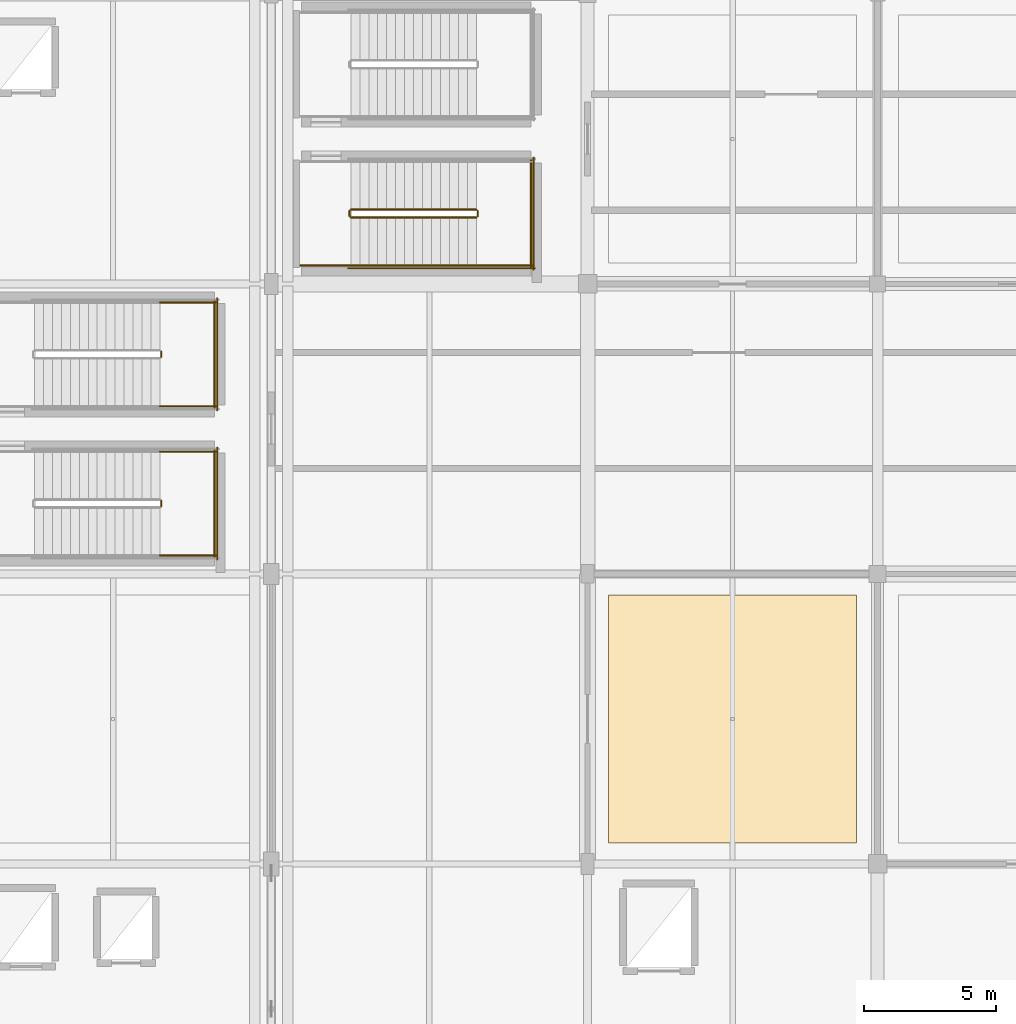
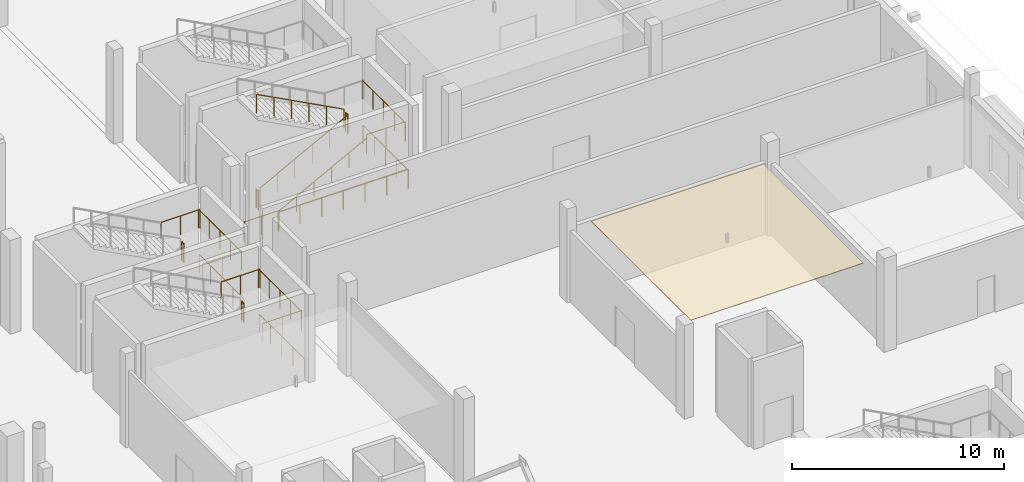
# One storey, part 114 of 120: 20 railings, 1 covering.
"""IFC4 building model written with IfcOpenShell, lengths in metres."""

from ifc_helpers import new_model, si_unit, direction, frame, origin, origin_2d, place, context, subcontext, project, spatial, polyline, circle, outline, extrude, material, layer, layer_set, type_object, element, save


model = new_model("IFC4")

# Units and contexts
model_context = context("Model", 3, precision=1e-05, world=origin(), true_north=direction((0.0, 1.0)))
body_context = subcontext(model_context, "Body", "Model", "MODEL_VIEW")
ifc_project = project(units=[si_unit("LENGTHUNIT", "METRE"), si_unit("AREAUNIT", "SQUARE_METRE"), si_unit("VOLUMEUNIT", "CUBIC_METRE"), si_unit("PLANEANGLEUNIT", "RADIAN"), si_unit("MASSUNIT", "GRAM", prefix="KILO")], contexts=[model_context])

# Site, building, storey
site_placement = place(None, origin())
site = spatial("IfcSite", under=ifc_project, at=site_placement, CompositionType="ELEMENT")
building_placement = place(site_placement, origin())
building = spatial("IfcBuilding", under=site, at=building_placement, Name="Luwafu Chhajja Arena", CompositionType="ELEMENT")
storey_placement = place(building_placement, origin())
storey = spatial("IfcBuildingStorey", under=building, at=storey_placement, Name="L00", CompositionType="ELEMENT", Elevation=0.0)

# Covering
ifc_material_1 = material(Name="Acoustic gypsum ceiling board")
ifc_layer = layer(ifc_material_1, 0.0400390625, Name="Acoustic gypsum ceiling board")
ifc_layer_set = layer_set([ifc_layer], Name="Acoustic gypsum ceiling board")
covering_type = type_object("IfcCoveringType", Name="Perforated Acoustic Baffle Ceiling", PredefinedType="CEILING", material=ifc_layer_set)
covering_placement = place(storey_placement, frame((0.0, 0.0, 4.581298828125)))
element("IfcCovering", 1, at=covering_placement, inside=storey, type_object=covering_type, Name="L00 Acoustic Baffle Ceiling 018", PredefinedType="CEILING", context=body_context, shape_type="SweptSolid", body=[
    extrude(outline(polyline([(176.800048828125, 33.800048828125), (186.199951171875, 33.800048828125), (186.199951171875, 43.199951171875), (176.800048828125, 43.199951171875), (176.800048828125, 33.800048828125)])), origin(), (0.0, 0.0, 1.0), 0.0400390625),
])

# Railings
ifc_material_2 = material(Name="Stainless steel handrail", Category="steel")
railing_type_1 = type_object("IfcRailingType", Name="Stair Pitch Wall Handrail 920", PredefinedType="HANDRAIL", material=ifc_material_2)
railing_1_placement = place(storey_placement, frame((167.02001953125, 55.699951171875, 0.179931640625)))
element("IfcRailing", 2, at=railing_1_placement, inside=storey, type_object=railing_type_1, Name="L00 ST-19 stair handrail 1", PredefinedType="HANDRAIL", context=body_context, shape_type="SweptSolid", body=[
    extrude(circle(Radius=0.02392578125, at=origin_2d()), frame((0.0, 0.0, 0.8759765625), z_axis=(0.883786813738, 0.0, 0.467889803119), x_axis=(0.0, 1.0, 0.0)), (0.0, 0.0, 1.0), 5.385986328125),
    extrude(circle(Radius=0.02099609375, at=origin_2d()), origin(), (0.0, 0.0, 1.0), 0.851806640625),
    extrude(circle(Radius=0.02099609375, at=origin_2d()), frame((0.951904296875, 0.0, 0.50390625)), (0.0, 0.0, 1.0), 0.851806640625),
    extrude(circle(Radius=0.02099609375, at=origin_2d()), frame((1.904052734375, 0.0, 1.008056640625)), (0.0, 0.0, 1.0), 0.851806640625),
    extrude(circle(Radius=0.02099609375, at=origin_2d()), frame((2.85595703125, 0.0, 1.511962890625)), (0.0, 0.0, 1.0), 0.851806640625),
    extrude(circle(Radius=0.02099609375, at=origin_2d()), frame((3.80810546875, 0.0, 2.01611328125)), (0.0, 0.0, 1.0), 0.851806640625),
    extrude(circle(Radius=0.02099609375, at=origin_2d()), frame((4.760009765625, 0.0, 2.52001953125)), (0.0, 0.0, 1.0), 0.851806640625),
])
ifc_material_3 = material(Name="Stainless steel balustrade", Category="steel")
railing_type_2 = type_object("IfcRailingType", Name="Stair and Terrace Guard Balustrade 1100", PredefinedType="BALUSTRADE", material=ifc_material_3)
railing_2_placement = place(storey_placement, frame((159.830078125, 46.570068359375, 2.699951171875)))
element("IfcRailing", 3, at=railing_2_placement, inside=storey, type_object=railing_type_2, Name="L00 ST-11 stair guard 2", PredefinedType="BALUSTRADE", context=body_context, shape_type="SweptSolid", body=[
    extrude(circle(Radius=0.02392578125, at=origin_2d()), frame((0.0, 0.0, 1.076171875), z_axis=(0.0, 1.0, 0.0), x_axis=(-1.0, 0.0, 0.0)), (0.0, 0.0, 1.0), 0.199951171875),
    extrude(circle(Radius=0.02099609375, at=origin_2d()), origin(), (0.0, 0.0, 1.0), 1.052001953125),
    extrude(circle(Radius=0.02099609375, at=origin_2d()), frame((0.0, 0.199951171875, 0.0)), (0.0, 0.0, 1.0), 1.052001953125),
])
for number, where, name in (
    (4, (159.780029296875, 44.699951171875, 2.699951171875), "L00 ST-11 stair guard 3"),
    (5, (159.780029296875, 48.639892578125, 2.699951171875), "L00 ST-11 stair guard 4"),
):
    element("IfcRailing", number, at=place(storey_placement, frame(where)), inside=storey, type_object=railing_type_2, Name=name, PredefinedType="BALUSTRADE", context=body_context, shape_type="SweptSolid", body=[
        extrude(circle(Radius=0.02392578125, at=origin_2d()), frame((0.0, 0.0, 1.076171875), z_axis=(1.0, 0.0, 0.0), x_axis=(0.0, 1.0, 0.0)), (0.0, 0.0, 1.0), 2.119873046875),
        extrude(circle(Radius=0.02099609375, at=origin_2d()), origin(), (0.0, 0.0, 1.0), 1.052001953125),
        extrude(circle(Radius=0.02099609375, at=origin_2d()), frame((1.06005859375, 0.0, 0.0)), (0.0, 0.0, 1.0), 1.052001953125),
        extrude(circle(Radius=0.02099609375, at=origin_2d()), frame((2.119873046875, 0.0, 0.0)), (0.0, 0.0, 1.0), 1.052001953125),
    ])
railing_3_placement = place(storey_placement, frame((161.85009765625, 44.64990234375, 2.699951171875)))
element("IfcRailing", 6, at=railing_3_placement, inside=storey, type_object=railing_type_2, Name="L00 ST-11 stair guard 5", PredefinedType="BALUSTRADE", context=body_context, shape_type="SweptSolid", body=[
    extrude(circle(Radius=0.02392578125, at=origin_2d()), frame((0.0, 0.0, 1.076171875), z_axis=(0.0, 1.0, 0.0), x_axis=(-1.0, 0.0, 0.0)), (0.0, 0.0, 1.0), 4.0400390625),
    extrude(circle(Radius=0.02099609375, at=origin_2d()), origin(), (0.0, 0.0, 1.0), 1.052001953125),
    extrude(circle(Radius=0.02099609375, at=origin_2d()), frame((0.0, 1.010009765625, 0.0)), (0.0, 0.0, 1.0), 1.052001953125),
    extrude(circle(Radius=0.02099609375, at=origin_2d()), frame((0.0, 2.02001953125, 0.0)), (0.0, 0.0, 1.0), 1.052001953125),
    extrude(circle(Radius=0.02099609375, at=origin_2d()), frame((0.0, 3.030029296875, 0.0)), (0.0, 0.0, 1.0), 1.052001953125),
    extrude(circle(Radius=0.02099609375, at=origin_2d()), frame((0.0, 4.0400390625, 0.0)), (0.0, 0.0, 1.0), 1.052001953125),
])
railing_4_placement = place(storey_placement, frame((161.949951171875, 44.550048828125, 0.0)))
element("IfcRailing", 7, at=railing_4_placement, inside=storey, type_object=railing_type_2, Name="L00 ST-11 stair guard 12", PredefinedType="BALUSTRADE", context=body_context, shape_type="SweptSolid", body=[
    extrude(circle(Radius=0.02392578125, at=origin_2d()), frame((0.0, 0.0, 1.076171875), z_axis=(0.0, 1.0, 0.0), x_axis=(-1.0, 0.0, 0.0)), (0.0, 0.0, 1.0), 4.239990234375),
    extrude(circle(Radius=0.02099609375, at=origin_2d()), origin(), (0.0, 0.0, 1.0), 1.052001953125),
    extrude(circle(Radius=0.02099609375, at=origin_2d()), frame((0.0, 1.06005859375, 0.0)), (0.0, 0.0, 1.0), 1.052001953125),
    extrude(circle(Radius=0.02099609375, at=origin_2d()), frame((0.0, 2.1201171875, 0.0)), (0.0, 0.0, 1.0), 1.052001953125),
    extrude(circle(Radius=0.02099609375, at=origin_2d()), frame((0.0, 3.179931640625, 0.0)), (0.0, 0.0, 1.0), 1.052001953125),
    extrude(circle(Radius=0.02099609375, at=origin_2d()), frame((0.0, 4.239990234375, 0.0)), (0.0, 0.0, 1.0), 1.052001953125),
])
railing_5_placement = place(storey_placement, frame((159.830078125, 52.22998046875, 2.699951171875)))
element("IfcRailing", 8, at=railing_5_placement, inside=storey, type_object=railing_type_2, Name="L00 ST-12 stair guard 2", PredefinedType="BALUSTRADE", context=body_context, shape_type="SweptSolid", body=[
    extrude(circle(Radius=0.02392578125, at=origin_2d()), frame((0.0, 0.0, 1.076171875), z_axis=(0.0, 1.0, 0.0), x_axis=(-1.0, 0.0, 0.0)), (0.0, 0.0, 1.0), 0.199951171875),
    extrude(circle(Radius=0.02099609375, at=origin_2d()), origin(), (0.0, 0.0, 1.0), 1.052001953125),
    extrude(circle(Radius=0.02099609375, at=origin_2d()), frame((0.0, 0.199951171875, 0.0)), (0.0, 0.0, 1.0), 1.052001953125),
])
for number, where, name in (
    (9, (159.780029296875, 50.360107421875, 2.699951171875), "L00 ST-12 stair guard 3"),
    (10, (159.780029296875, 54.300048828125, 2.699951171875), "L00 ST-12 stair guard 4"),
):
    element("IfcRailing", number, at=place(storey_placement, frame(where)), inside=storey, type_object=railing_type_2, Name=name, PredefinedType="BALUSTRADE", context=body_context, shape_type="SweptSolid", body=[
        extrude(circle(Radius=0.02392578125, at=origin_2d()), frame((0.0, 0.0, 1.076171875), z_axis=(1.0, 0.0, 0.0), x_axis=(0.0, 1.0, 0.0)), (0.0, 0.0, 1.0), 2.119873046875),
        extrude(circle(Radius=0.02099609375, at=origin_2d()), origin(), (0.0, 0.0, 1.0), 1.052001953125),
        extrude(circle(Radius=0.02099609375, at=origin_2d()), frame((1.06005859375, 0.0, 0.0)), (0.0, 0.0, 1.0), 1.052001953125),
        extrude(circle(Radius=0.02099609375, at=origin_2d()), frame((2.119873046875, 0.0, 0.0)), (0.0, 0.0, 1.0), 1.052001953125),
    ])
railing_6_placement = place(storey_placement, frame((161.85009765625, 50.31005859375, 2.699951171875)))
element("IfcRailing", 11, at=railing_6_placement, inside=storey, type_object=railing_type_2, Name="L00 ST-12 stair guard 5", PredefinedType="BALUSTRADE", context=body_context, shape_type="SweptSolid", body=[
    extrude(circle(Radius=0.02392578125, at=origin_2d()), frame((0.0, 0.0, 1.076171875), z_axis=(0.0, 1.0, 0.0), x_axis=(-1.0, 0.0, 0.0)), (0.0, 0.0, 1.0), 4.0400390625),
    extrude(circle(Radius=0.02099609375, at=origin_2d()), origin(), (0.0, 0.0, 1.0), 1.052001953125),
    extrude(circle(Radius=0.02099609375, at=origin_2d()), frame((0.0, 1.010009765625, 0.0)), (0.0, 0.0, 1.0), 1.052001953125),
    extrude(circle(Radius=0.02099609375, at=origin_2d()), frame((0.0, 2.02001953125, 0.0)), (0.0, 0.0, 1.0), 1.052001953125),
    extrude(circle(Radius=0.02099609375, at=origin_2d()), frame((0.0, 3.030029296875, 0.0)), (0.0, 0.0, 1.0), 1.052001953125),
    extrude(circle(Radius=0.02099609375, at=origin_2d()), frame((0.0, 4.0400390625, 0.0)), (0.0, 0.0, 1.0), 1.052001953125),
])
railing_7_placement = place(storey_placement, frame((161.949951171875, 50.2099609375, 0.0)))
element("IfcRailing", 12, at=railing_7_placement, inside=storey, type_object=railing_type_2, Name="L00 ST-12 stair guard 12", PredefinedType="BALUSTRADE", context=body_context, shape_type="SweptSolid", body=[
    extrude(circle(Radius=0.02392578125, at=origin_2d()), frame((0.0, 0.0, 1.076171875), z_axis=(0.0, 1.0, 0.0), x_axis=(-1.0, 0.0, 0.0)), (0.0, 0.0, 1.0), 4.239990234375),
    extrude(circle(Radius=0.02099609375, at=origin_2d()), origin(), (0.0, 0.0, 1.0), 1.052001953125),
    extrude(circle(Radius=0.02099609375, at=origin_2d()), frame((0.0, 1.06005859375, 0.0)), (0.0, 0.0, 1.0), 1.052001953125),
    extrude(circle(Radius=0.02099609375, at=origin_2d()), frame((0.0, 2.1201171875, 0.0)), (0.0, 0.0, 1.0), 1.052001953125),
    extrude(circle(Radius=0.02099609375, at=origin_2d()), frame((0.0, 3.179931640625, 0.0)), (0.0, 0.0, 1.0), 1.052001953125),
    extrude(circle(Radius=0.02099609375, at=origin_2d()), frame((0.0, 4.239990234375, 0.0)), (0.0, 0.0, 1.0), 1.052001953125),
])
railing_8_placement = place(storey_placement, frame((167.02001953125, 57.52001953125, 0.179931640625)))
element("IfcRailing", 13, at=railing_8_placement, inside=storey, type_object=railing_type_2, Name="L00 ST-19 stair guard 1", PredefinedType="BALUSTRADE", context=body_context, shape_type="SweptSolid", body=[
    extrude(circle(Radius=0.02392578125, at=origin_2d()), frame((0.0, 0.0, 1.076171875), z_axis=(0.883786813738, 0.0, 0.467889803119), x_axis=(0.0, 1.0, 0.0)), (0.0, 0.0, 1.0), 5.385986328125),
    extrude(circle(Radius=0.02099609375, at=origin_2d()), origin(), (0.0, 0.0, 1.0), 1.052001953125),
    extrude(circle(Radius=0.02099609375, at=origin_2d()), frame((0.951904296875, 0.0, 0.50390625)), (0.0, 0.0, 1.0), 1.052001953125),
    extrude(circle(Radius=0.02099609375, at=origin_2d()), frame((1.904052734375, 0.0, 1.008056640625)), (0.0, 0.0, 1.0), 1.052001953125),
    extrude(circle(Radius=0.02099609375, at=origin_2d()), frame((2.85595703125, 0.0, 1.511962890625)), (0.0, 0.0, 1.0), 1.052001953125),
    extrude(circle(Radius=0.02099609375, at=origin_2d()), frame((3.80810546875, 0.0, 2.01611328125)), (0.0, 0.0, 1.0), 1.052001953125),
    extrude(circle(Radius=0.02099609375, at=origin_2d()), frame((4.760009765625, 0.0, 2.52001953125)), (0.0, 0.0, 1.0), 1.052001953125),
])
railing_9_placement = place(storey_placement, frame((171.830078125, 57.570068359375, 2.699951171875)))
element("IfcRailing", 14, at=railing_9_placement, inside=storey, type_object=railing_type_2, Name="L00 ST-19 stair guard 2", PredefinedType="BALUSTRADE", context=body_context, shape_type="SweptSolid", body=[
    extrude(circle(Radius=0.02392578125, at=origin_2d()), frame((0.0, 0.0, 1.076171875), z_axis=(0.0, 1.0, 0.0), x_axis=(-1.0, 0.0, 0.0)), (0.0, 0.0, 1.0), 0.199951171875),
    extrude(circle(Radius=0.02099609375, at=origin_2d()), origin(), (0.0, 0.0, 1.0), 1.052001953125),
    extrude(circle(Radius=0.02099609375, at=origin_2d()), frame((0.0, 0.199951171875, 0.0)), (0.0, 0.0, 1.0), 1.052001953125),
])
railing_10_placement = place(storey_placement, frame((171.780029296875, 55.699951171875, 2.699951171875)))
element("IfcRailing", 15, at=railing_10_placement, inside=storey, type_object=railing_type_2, Name="L00 ST-19 stair guard 3", PredefinedType="BALUSTRADE", context=body_context, shape_type="SweptSolid", body=[
    extrude(circle(Radius=0.02392578125, at=origin_2d()), frame((0.0, 0.0, 1.076171875), z_axis=(1.0, 0.0, 0.0), x_axis=(0.0, 1.0, 0.0)), (0.0, 0.0, 1.0), 2.119873046875),
    extrude(circle(Radius=0.02099609375, at=origin_2d()), origin(), (0.0, 0.0, 1.0), 1.052001953125),
    extrude(circle(Radius=0.02099609375, at=origin_2d()), frame((1.06005859375, 0.0, 0.0)), (0.0, 0.0, 1.0), 1.052001953125),
    extrude(circle(Radius=0.02099609375, at=origin_2d()), frame((2.119873046875, 0.0, 0.0)), (0.0, 0.0, 1.0), 1.052001953125),
])
railing_11_placement = place(storey_placement, frame((173.85009765625, 55.64990234375, 2.699951171875)))
element("IfcRailing", 16, at=railing_11_placement, inside=storey, type_object=railing_type_2, Name="L00 ST-19 stair guard 5", PredefinedType="BALUSTRADE", context=body_context, shape_type="SweptSolid", body=[
    extrude(circle(Radius=0.02392578125, at=origin_2d()), frame((0.0, 0.0, 1.076171875), z_axis=(0.0, 1.0, 0.0), x_axis=(-1.0, 0.0, 0.0)), (0.0, 0.0, 1.0), 4.0400390625),
    extrude(circle(Radius=0.02099609375, at=origin_2d()), origin(), (0.0, 0.0, 1.0), 1.052001953125),
    extrude(circle(Radius=0.02099609375, at=origin_2d()), frame((0.0, 1.010009765625, 0.0)), (0.0, 0.0, 1.0), 1.052001953125),
    extrude(circle(Radius=0.02099609375, at=origin_2d()), frame((0.0, 2.02001953125, 0.0)), (0.0, 0.0, 1.0), 1.052001953125),
    extrude(circle(Radius=0.02099609375, at=origin_2d()), frame((0.0, 3.030029296875, 0.0)), (0.0, 0.0, 1.0), 1.052001953125),
    extrude(circle(Radius=0.02099609375, at=origin_2d()), frame((0.0, 4.0400390625, 0.0)), (0.0, 0.0, 1.0), 1.052001953125),
])
railing_12_placement = place(storey_placement, frame((171.780029296875, 57.820068359375, 2.8798828125)))
element("IfcRailing", 17, at=railing_12_placement, inside=storey, type_object=railing_type_2, Name="L00 ST-19 stair guard 6", PredefinedType="BALUSTRADE", context=body_context, shape_type="SweptSolid", body=[
    extrude(circle(Radius=0.02392578125, at=origin_2d()), frame((0.0, 0.0, 1.076171875), z_axis=(-0.883786813738, 0.0, 0.467889803119), x_axis=(0.0, -1.0, 0.0)), (0.0, 0.0, 1.0), 5.385986328125),
    extrude(circle(Radius=0.02099609375, at=origin_2d()), origin(), (0.0, 0.0, 1.0), 1.052001953125),
    extrude(circle(Radius=0.02099609375, at=origin_2d()), frame((-0.951904296875, 0.0, 0.50390625)), (0.0, 0.0, 1.0), 1.052001953125),
    extrude(circle(Radius=0.02099609375, at=origin_2d()), frame((-1.904052734375, 0.0, 1.008056640625)), (0.0, 0.0, 1.0), 1.052001953125),
    extrude(circle(Radius=0.02099609375, at=origin_2d()), frame((-2.85595703125, 0.0, 1.511962890625)), (0.0, 0.0, 1.0), 1.052001953125),
    extrude(circle(Radius=0.02099609375, at=origin_2d()), frame((-3.80810546875, 0.0, 2.01611328125)), (0.0, 0.0, 1.0), 1.052001953125),
    extrude(circle(Radius=0.02099609375, at=origin_2d()), frame((-4.760009765625, 0.0, 2.52001953125)), (0.0, 0.0, 1.0), 1.052001953125),
])
railing_13_placement = place(storey_placement, frame((166.969970703125, 57.570068359375, 0.0)))
element("IfcRailing", 18, at=railing_13_placement, inside=storey, type_object=railing_type_2, Name="L00 ST-19 stair guard 7", PredefinedType="BALUSTRADE", context=body_context, shape_type="SweptSolid", body=[
    extrude(circle(Radius=0.02392578125, at=origin_2d()), frame((0.0, 0.0, 1.076171875), z_axis=(0.0, 1.0, 0.0), x_axis=(-1.0, 0.0, 0.0)), (0.0, 0.0, 1.0), 0.199951171875),
    extrude(circle(Radius=0.02099609375, at=origin_2d()), origin(), (0.0, 0.0, 1.0), 1.052001953125),
    extrude(circle(Radius=0.02099609375, at=origin_2d()), frame((0.0, 0.199951171875, 0.0)), (0.0, 0.0, 1.0), 1.052001953125),
])
railing_14_placement = place(storey_placement, frame((165.10009765625, 55.699951171875, 0.0)))
element("IfcRailing", 19, at=railing_14_placement, inside=storey, type_object=railing_type_2, Name="L00 ST-19 stair guard 8", PredefinedType="BALUSTRADE", context=body_context, shape_type="SweptSolid", body=[
    extrude(circle(Radius=0.02392578125, at=origin_2d()), frame((0.0, 0.0, 1.076171875), z_axis=(1.0, 0.0, 0.0), x_axis=(0.0, 1.0, 0.0)), (0.0, 0.0, 1.0), 1.919921875),
    extrude(circle(Radius=0.02099609375, at=origin_2d()), origin(), (0.0, 0.0, 1.0), 1.052001953125),
    extrude(circle(Radius=0.02099609375, at=origin_2d()), frame((0.9599609375, 0.0, 0.0)), (0.0, 0.0, 1.0), 1.052001953125),
    extrude(circle(Radius=0.02099609375, at=origin_2d()), frame((1.919921875, 0.0, 0.0)), (0.0, 0.0, 1.0), 1.052001953125),
])
railing_15_placement = place(storey_placement, frame((166.919921875, 55.60009765625, 0.0)))
element("IfcRailing", 20, at=railing_15_placement, inside=storey, type_object=railing_type_2, Name="L00 ST-19 stair guard 10", PredefinedType="BALUSTRADE", context=body_context, shape_type="SweptSolid", body=[
    extrude(circle(Radius=0.02392578125, at=origin_2d()), frame((0.0, 0.0, 1.076171875), z_axis=(1.0, 0.0, 0.0), x_axis=(0.0, 1.0, 0.0)), (0.0, 0.0, 1.0), 7.080078125),
    extrude(circle(Radius=0.02099609375, at=origin_2d()), origin(), (0.0, 0.0, 1.0), 1.052001953125),
    extrude(circle(Radius=0.02099609375, at=origin_2d()), frame((1.179931640625, 0.0, 0.0)), (0.0, 0.0, 1.0), 1.052001953125),
    extrude(circle(Radius=0.02099609375, at=origin_2d()), frame((2.360107421875, 0.0, 0.0)), (0.0, 0.0, 1.0), 1.052001953125),
    extrude(circle(Radius=0.02099609375, at=origin_2d()), frame((3.5400390625, 0.0, 0.0)), (0.0, 0.0, 1.0), 1.052001953125),
    extrude(circle(Radius=0.02099609375, at=origin_2d()), frame((4.719970703125, 0.0, 0.0)), (0.0, 0.0, 1.0), 1.052001953125),
    extrude(circle(Radius=0.02099609375, at=origin_2d()), frame((5.900146484375, 0.0, 0.0)), (0.0, 0.0, 1.0), 1.052001953125),
    extrude(circle(Radius=0.02099609375, at=origin_2d()), frame((7.080078125, 0.0, 0.0)), (0.0, 0.0, 1.0), 1.052001953125),
])
railing_16_placement = place(storey_placement, frame((173.949951171875, 55.550048828125, 0.0)))
element("IfcRailing", 21, at=railing_16_placement, inside=storey, type_object=railing_type_2, Name="L00 ST-19 stair guard 12", PredefinedType="BALUSTRADE", context=body_context, shape_type="SweptSolid", body=[
    extrude(circle(Radius=0.02392578125, at=origin_2d()), frame((0.0, 0.0, 1.076171875), z_axis=(0.0, 1.0, 0.0), x_axis=(-1.0, 0.0, 0.0)), (0.0, 0.0, 1.0), 4.239990234375),
    extrude(circle(Radius=0.02099609375, at=origin_2d()), origin(), (0.0, 0.0, 1.0), 1.052001953125),
    extrude(circle(Radius=0.02099609375, at=origin_2d()), frame((0.0, 1.06005859375, 0.0)), (0.0, 0.0, 1.0), 1.052001953125),
    extrude(circle(Radius=0.02099609375, at=origin_2d()), frame((0.0, 2.1201171875, 0.0)), (0.0, 0.0, 1.0), 1.052001953125),
    extrude(circle(Radius=0.02099609375, at=origin_2d()), frame((0.0, 3.179931640625, 0.0)), (0.0, 0.0, 1.0), 1.052001953125),
    extrude(circle(Radius=0.02099609375, at=origin_2d()), frame((0.0, 4.239990234375, 0.0)), (0.0, 0.0, 1.0), 1.052001953125),
])

save(model, "model.ifc")
